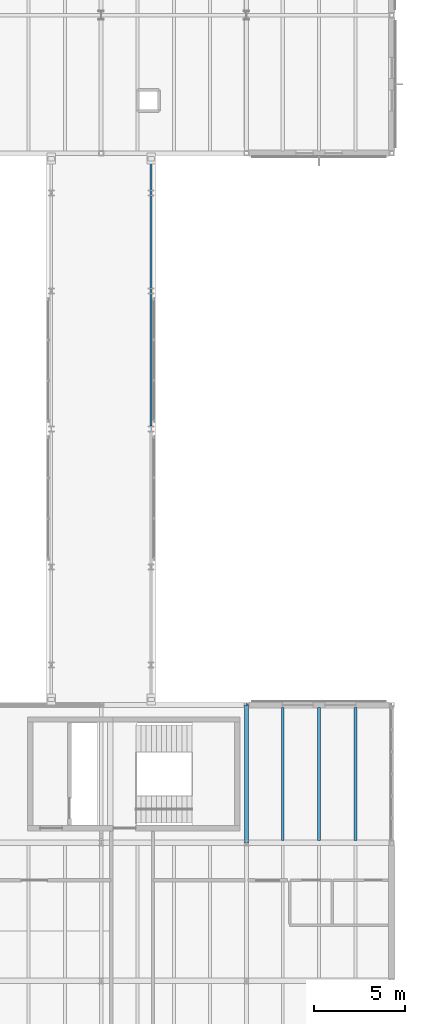
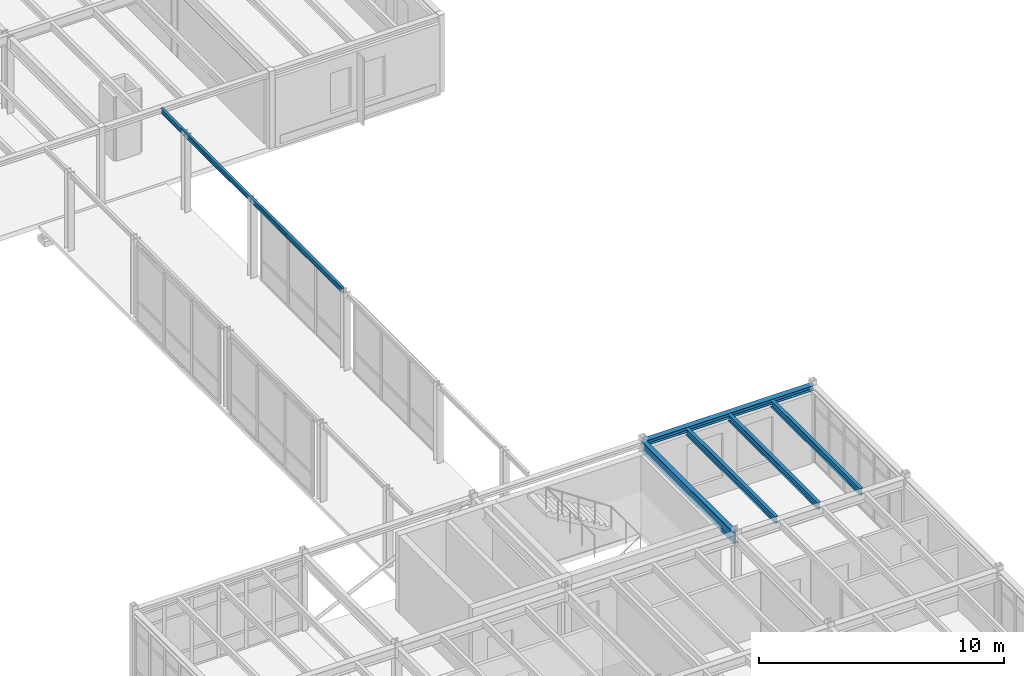
# One storey, part 131 of 189: 6 beams.
"""IFC4 building model written with IfcOpenShell, lengths in metres."""

from ifc_helpers import new_model, si_unit, direction, frame, origin, origin_2d, place, context, subcontext, project, spatial, i_section, extrude, material, material_profile, profile_set, type_object, element, save


model = new_model("IFC4")

# Units and contexts
model_context = context("Model", 3, precision=1e-05, world=origin(), true_north=direction((0.0, 1.0)))
body_context = subcontext(model_context, "Body", "Model", "MODEL_VIEW")
ifc_project = project(units=[si_unit("LENGTHUNIT", "METRE"), si_unit("AREAUNIT", "SQUARE_METRE"), si_unit("VOLUMEUNIT", "CUBIC_METRE"), si_unit("PLANEANGLEUNIT", "RADIAN"), si_unit("MASSUNIT", "GRAM", prefix="KILO")], contexts=[model_context])

# Site, building, storey
site_placement = place(None, origin())
site = spatial("IfcSite", under=ifc_project, at=site_placement, CompositionType="ELEMENT")
building_placement = place(site_placement, origin())
building = spatial("IfcBuilding", under=site, at=building_placement, Name="Montecoro Central Library", CompositionType="ELEMENT")
storey_placement = place(building_placement, frame((0.0, 0.0, 9.179931640625)))
storey = spatial("IfcBuildingStorey", under=building, at=storey_placement, Name="L02", CompositionType="ELEMENT", Elevation=9.179931640625)

# Beams
ifc_material_1 = material(Name="Steel S355J2", Category="steel")
ifc_material_profile_1 = material_profile(ifc_material_1, i_section(OverallWidth=0.2099609375, OverallDepth=0.550048828125, WebThickness=0.010986328125, FlangeThickness=0.01708984375, at=origin_2d()), Name="IPE 550")
ifc_profile_set_1 = profile_set([ifc_material_profile_1], Name="Steel S355J2")
beam_type_1 = type_object("IfcBeamType", Name="BM-G-IPE550", PredefinedType="USERDEFINED", material=ifc_profile_set_1)
beam_1_placement = place(storey_placement, frame((165.0, 35.405029296875, 3.550048828125), z_axis=(0.0, 1.0, 0.0), x_axis=(-1.0, 0.0, 0.0)))
element("IfcBeam", 1, at=beam_1_placement, inside=storey, type_object=beam_type_1, Name="V6-L02-BY-21-EF", ObjectType="GIRDER", PredefinedType="USERDEFINED", context=body_context, shape_type="SweptSolid", body=[
    extrude(i_section(OverallWidth=0.2099609375, OverallDepth=0.550048828125, WebThickness=0.010986328125, FlangeThickness=0.01708984375, at=origin_2d()), origin(), (0.0, 0.0, 1.0), 7.590087890625),
])
ifc_material_2 = material(Name="Steel S355", Category="steel")
ifc_material_profile_2 = material_profile(ifc_material_2, i_section(OverallWidth=0.159912109375, OverallDepth=0.330078125, WebThickness=0.007568359375, FlangeThickness=0.011474609375, at=origin_2d()), Name="IPE 330")
ifc_profile_set_2 = profile_set([ifc_material_profile_2], Name="Steel S355")
beam_type_2 = type_object("IfcBeamType", Name="BM-J-IPE330", PredefinedType="JOIST", material=ifc_profile_set_2)
for number, where, z_axis, x_axis, name in (
    (2, (167.0, 35.547119140625, 3.66015625), (0.0, 1.0, 0.0), (-1.0, 0.0, 0.0), "V6-L02-JS-2122-EF-1"),
    (3, (169.0, 35.547119140625, 3.66015625), (0.0, 1.0, 0.0), (-1.0, 0.0, 0.0), "V6-L02-JS-2122-EF-2"),
    (4, (171.0, 35.547119140625, 3.66015625), (0.0, 1.0, 0.0), (-1.0, 0.0, 0.0), "V6-L02-JS-2122-EF-3"),
):
    element("IfcBeam", number, at=place(storey_placement, frame(where, z_axis=z_axis, x_axis=x_axis)), inside=storey, type_object=beam_type_2, Name=name, PredefinedType="JOIST", context=body_context, shape_type="SweptSolid", body=[
        extrude(i_section(OverallWidth=0.159912109375, OverallDepth=0.330078125, WebThickness=0.007568359375, FlangeThickness=0.011474609375, at=origin_2d()), origin(), (0.0, 0.0, 1.0), 7.325927734375),
    ])
ifc_material_profile_3 = material_profile(ifc_material_2, i_section(OverallWidth=0.260009765625, OverallDepth=0.25, WebThickness=0.007568359375, FlangeThickness=0.012451171875, at=origin_2d()), Name="HEA 260")
ifc_profile_set_3 = profile_set([ifc_material_profile_3], Name="Steel S355")
beam_type_3 = type_object("IfcBeamType", Name="BM-SP-HEA260", PredefinedType="SPANDREL", material=ifc_profile_set_3)
beam_2_placement = place(storey_placement, frame((165.0048828125, 43.0, 3.699951171875), z_axis=(1.0, 0.0, 0.0), x_axis=(0.0, 1.0, 0.0)))
element("IfcBeam", 5, at=beam_2_placement, inside=storey, type_object=beam_type_3, Name="V6-L02-BX-2122-F", PredefinedType="SPANDREL", context=body_context, shape_type="SweptSolid", body=[
    extrude(i_section(OverallWidth=0.260009765625, OverallDepth=0.25, WebThickness=0.007568359375, FlangeThickness=0.012451171875, at=origin_2d()), origin(), (0.0, 0.0, 1.0), 7.990234375),
])
ifc_material_profile_4 = material_profile(ifc_material_2, i_section(OverallWidth=0.1201171875, OverallDepth=0.239990234375, WebThickness=0.006103515625, FlangeThickness=0.009765625, at=origin_2d()), Name="IPE 240")
ifc_profile_set_4 = profile_set([ifc_material_profile_4], Name="Steel S355")
beam_type_4 = type_object("IfcBeamType", Name="BM-SP-IPE240", PredefinedType="SPANDREL", material=ifc_profile_set_4)
beam_3_placement = place(storey_placement, frame((159.75, 58.360107421875, 3.7880859375), z_axis=(0.0, 1.0, 0.0), x_axis=(-1.0, 0.0, 0.0)))
element("IfcBeam", 6, at=beam_3_placement, inside=storey, type_object=beam_type_4, Name="BR-E-ROOF-BM-E2", PredefinedType="SPANDREL", context=body_context, shape_type="SweptSolid", body=[
    extrude(i_section(OverallWidth=0.1201171875, OverallDepth=0.239990234375, WebThickness=0.006103515625, FlangeThickness=0.009765625, at=origin_2d()), origin(), (0.0, 0.0, 1.0), 14.81982421875),
])

save(model, "model.ifc")
